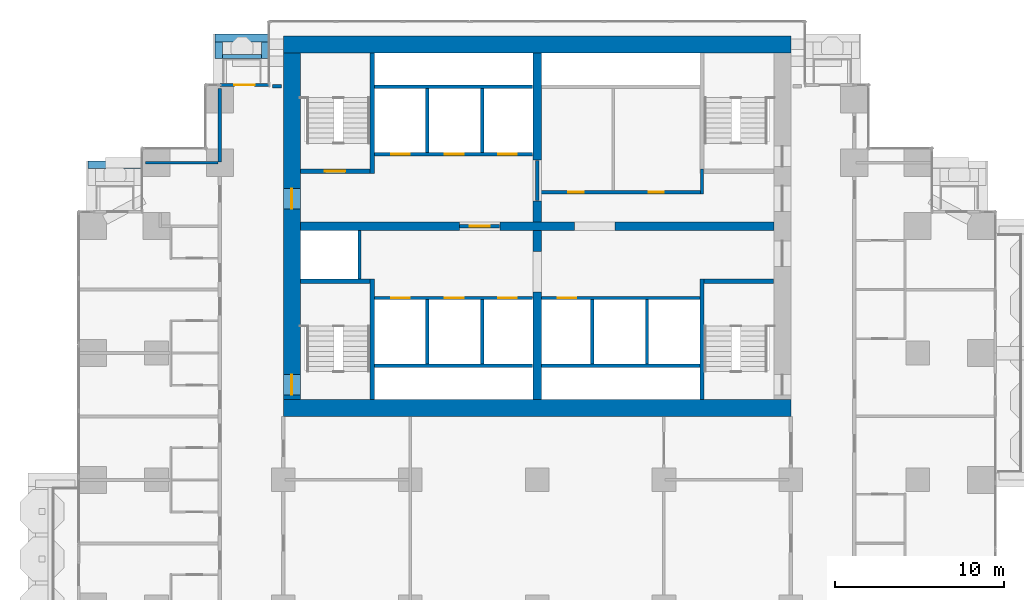
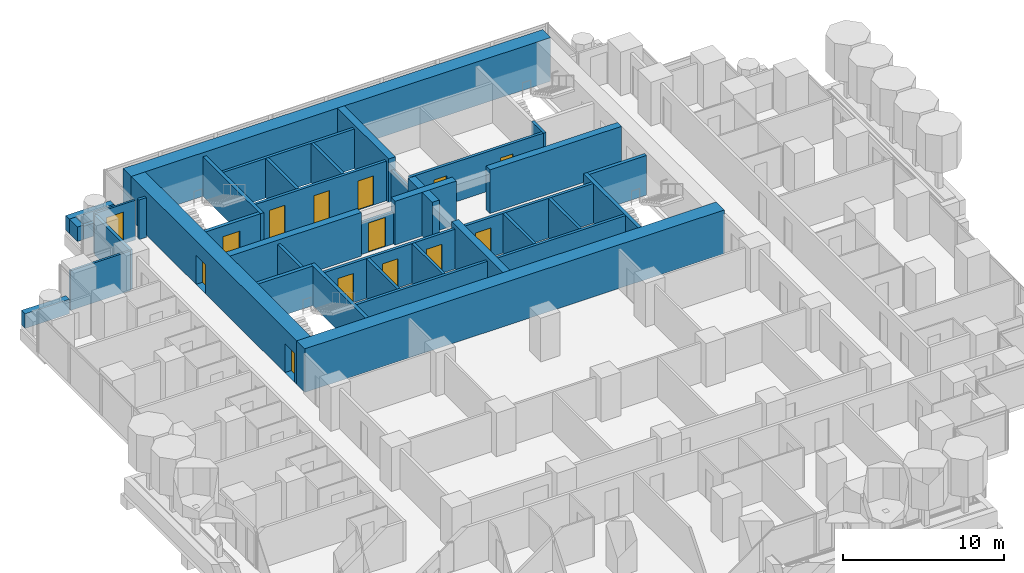
# One storey, part 13 of 18: 42 walls, 14 doors, 14 openings.
"""IFC4 building model written with IfcOpenShell, lengths in metres."""

from ifc_helpers import new_model, si_unit, direction, frame, frame_2d, origin, place, context, subcontext, project, spatial, rectangle, extrude, material, layer, layer_set, type_object, element, fill, save


model = new_model("IFC4")

# Units and contexts
model_context = context("Model", 3, precision=1e-05, world=origin(), true_north=direction((0.0, 1.0)))
body_context = subcontext(model_context, "Body", "Model", "MODEL_VIEW")
ifc_project = project(units=[si_unit("LENGTHUNIT", "METRE"), si_unit("AREAUNIT", "SQUARE_METRE"), si_unit("VOLUMEUNIT", "CUBIC_METRE"), si_unit("PLANEANGLEUNIT", "RADIAN"), si_unit("MASSUNIT", "GRAM", prefix="KILO")], contexts=[model_context])

# Site, building, storey
site_placement = place(None, origin())
site = spatial("IfcSite", under=ifc_project, at=site_placement, CompositionType="ELEMENT")
building_placement = place(site_placement, origin())
building = spatial("IfcBuilding", under=site, at=building_placement, Name="Pilkhan Gate Tower", CompositionType="ELEMENT")
storey_placement = place(building_placement, frame((0.0, 0.0, 52.699951171875)))
storey = spatial("IfcBuildingStorey", under=building, at=storey_placement, Name="L10", CompositionType="ELEMENT", Elevation=52.699951171875)

# Walls
ifc_material_1 = material(Name="Concrete C40/50", Category="concrete")
ifc_layer_1 = layer(ifc_material_1, 0.25)
ifc_layer_set_1 = layer_set([ifc_layer_1], Name="Balcony planter BP250")
wall_type_1 = type_object("IfcWallType", Name="Balcony planter BP250", PredefinedType="USERDEFINED", material=ifc_layer_set_1)
wall_1_placement = place(storey_placement, frame((56.39990234375, 92.52490234375, 0.0), z_axis=(0.0, 0.0, 1.0), x_axis=(1.0, 0.0, 0.0)))
element("IfcWall", 1, at=wall_1_placement, inside=storey, type_object=wall_type_1, Name="Balcony planter L10 N", ObjectType="BALCONY PLANTER", PredefinedType="USERDEFINED", context=body_context, shape_type="SweptSolid", body=[
    extrude(rectangle(XDim=2.300048828125, YDim=0.25, at=frame_2d((1.14990234375, 0.0))), origin(), (0.0, 0.0, 1.0), 1.0),
])
ifc_material_2 = material(Name="Board-marked Concrete C40/50", Category="concrete")
ifc_layer_2 = layer(ifc_material_2, 0.449951171875)
ifc_layer_set_2 = layer_set([ifc_layer_2], Name="Balcony planter lip BL450")
wall_type_2 = type_object("IfcWallType", Name="Balcony planter lip BL450", PredefinedType="USERDEFINED", material=ifc_layer_set_2)
wall_2_placement = place(storey_placement, frame((55.949951171875, 93.625, 0.0), z_axis=(0.0, 0.0, 1.0), x_axis=(1.0, 0.0, 0.0)))
element("IfcWall", 2, at=wall_2_placement, inside=storey, type_object=wall_type_2, Name="Balcony planter L10 N", ObjectType="BALCONY PLANTER", PredefinedType="USERDEFINED", context=body_context, shape_type="SweptSolid", body=[
    extrude(rectangle(XDim=3.199951171875, YDim=0.449951171875, at=frame_2d((1.60009765625, 0.0))), origin(), (0.0, 0.0, 1.0), 1.10009765625),
])
for number, where, z_axis, x_axis, name in (
    (3, (56.175048828125, 92.39990234375, 0.0), (0.0, 0.0, 1.0), (0.0, 1.0, 0.0), "Balcony planter L10 N"),
    (4, (58.925048828125, 92.39990234375, 0.0), (0.0, 0.0, 1.0), (0.0, 1.0, 0.0), "Balcony planter L10 N"),
):
    element("IfcWall", number, at=place(storey_placement, frame(where, z_axis=z_axis, x_axis=x_axis)), inside=storey, type_object=wall_type_2, Name=name, ObjectType="BALCONY PLANTER", PredefinedType="USERDEFINED", context=body_context, shape_type="SweptSolid", body=[
        extrude(rectangle(XDim=1.0, YDim=0.449951171875, at=frame_2d((0.5, 0.0))), origin(), (0.0, 0.0, 1.0), 1.10009765625),
    ])
wall_3_placement = place(storey_placement, frame((48.449951171875, 86.125, 0.0), z_axis=(0.0, 0.0, 1.0), x_axis=(1.0, 0.0, 0.0)))
element("IfcWall", 5, at=wall_3_placement, inside=storey, type_object=wall_type_2, Name="Balcony planter L10 N", ObjectType="BALCONY PLANTER", PredefinedType="USERDEFINED", context=body_context, shape_type="SweptSolid", body=[
    extrude(rectangle(XDim=3.179931640625, YDim=0.449951171875, at=frame_2d((1.58984375, 0.0))), origin(), (0.0, 0.0, 1.0), 1.10009765625),
])
ifc_material_3 = material(Name="Concrete C70/85", Category="concrete")
ifc_layer_3 = layer(ifc_material_3, 1.0)
ifc_layer_set_3 = layer_set([ifc_layer_3], Name="Core wall CW1000 C70/85")
wall_type_3 = type_object("IfcWallType", Name="Core wall CW1000 C70/85", PredefinedType="SHEAR", material=ifc_layer_set_3)
for number, where, z_axis, x_axis, name in (
    (6, (60.0, 71.75, 0.0), (0.0, 0.0, 1.0), (1.0, 0.0, 0.0), "Core wall S L10"),
    (7, (90.0, 93.25, 0.0), (0.0, 0.0, 1.0), (-1.0, 0.0, 0.0), "Core wall N L10"),
):
    element("IfcWall", number, at=place(storey_placement, frame(where, z_axis=z_axis, x_axis=x_axis)), inside=storey, type_object=wall_type_3, Name=name, PredefinedType="SHEAR", context=body_context, shape_type="SweptSolid", body=[
        extrude(rectangle(XDim=30.0, YDim=1.0, at=frame_2d((15.0, 0.0))), origin(), (0.0, 0.0, 1.0), 3.300048828125),
    ])

# Wall, openings, doors
wall_4_placement = place(storey_placement, frame((60.5, 92.75, 0.0), z_axis=(0.0, 0.0, 1.0), x_axis=(0.0, -1.0, 0.0)))
wall_4 = element("IfcWall", 8, at=wall_4_placement, inside=storey, type_object=wall_type_3, Name="Core wall W L10", PredefinedType="SHEAR", context=body_context, shape_type="SweptSolid", body=[
    extrude(rectangle(XDim=20.5, YDim=1.0, at=frame_2d((10.25, 0.0))), origin(), (0.0, 0.0, 1.0), 3.300048828125),
])
opening_1_placement = place(wall_4_placement, frame((19.02490234375, 0.0, 0.0)))
opening_1 = element("IfcOpeningElement", 9, at=opening_1_placement, cuts=wall_4, Name="Opening L10-04", PredefinedType="OPENING", context=body_context, shape_type="SweptSolid", body=[
    extrude(rectangle(XDim=1.199951171875, YDim=2.199951171875, at=frame_2d((0.60009765625, 1.10009765625))), frame((0.0, 0.510009765625, 0.0), z_axis=(0.0, -1.0, 0.0), x_axis=(1.0, 0.0, 0.0)), (0.0, 0.0, 1.0), 1.02001953125),
])
opening_2_placement = place(wall_4_placement, frame((8.02490234375, 0.0, 0.0)))
opening_2 = element("IfcOpeningElement", 10, at=opening_2_placement, cuts=wall_4, Name="Opening L10-43", PredefinedType="OPENING", context=body_context, shape_type="SweptSolid", body=[
    extrude(rectangle(XDim=1.199951171875, YDim=2.199951171875, at=frame_2d((0.60009765625, 1.10009765625))), frame((0.0, 0.510009765625, 0.0), z_axis=(0.0, -1.0, 0.0), x_axis=(1.0, 0.0, 0.0)), (0.0, 0.0, 1.0), 1.02001953125),
])
ifc_material_4 = material(Name="Steel door, 120 minute fire resisting, self-closing", Category="steel")
door_type_1 = type_object("IfcDoorType", Name="Firefighting lobby door D10 1200x2200", OperationType="SINGLE_SWING_LEFT", PredefinedType="DOOR", material=ifc_material_4)
door_1_placement = place(opening_2_placement, origin())
door_1 = element("IfcDoor", 11, at=door_1_placement, inside=storey, type_object=door_type_1, Name="Core door", OperationType="SINGLE_SWING_RIGHT", OverallHeight=2.199951171875, OverallWidth=1.199951171875, PredefinedType="DOOR", context=body_context, shape_type="SweptSolid", body=[
    extrude(rectangle(XDim=1.199951171875, YDim=2.199951171875, at=frame_2d((0.60009765625, 1.10009765625))), frame((0.0, 0.02490234375, 0.0), z_axis=(0.0, -1.0, 0.0), x_axis=(1.0, 0.0, 0.0)), (0.0, 0.0, 1.0), 0.050048828125),
])
fill(opening_2, door_1)
ifc_material_5 = material(Name="Steel door, 120 minute fire resisting, panic bar", Category="steel")
door_type_2 = type_object("IfcDoorType", Name="Stair door D11 1200x2200", OperationType="SINGLE_SWING_LEFT", PredefinedType="DOOR", material=ifc_material_5)
door_2_placement = place(opening_1_placement, origin())
door_2 = element("IfcDoor", 12, at=door_2_placement, inside=storey, type_object=door_type_2, Name="Stair ST2 door", OperationType="SINGLE_SWING_LEFT", OverallHeight=2.199951171875, OverallWidth=1.199951171875, PredefinedType="DOOR", context=body_context, shape_type="SweptSolid", body=[
    extrude(rectangle(XDim=1.199951171875, YDim=2.199951171875, at=frame_2d((0.60009765625, 1.10009765625))), frame((0.0, 0.02490234375, 0.0), z_axis=(0.0, -1.0, 0.0), x_axis=(1.0, 0.0, 0.0)), (0.0, 0.0, 1.0), 0.050048828125),
])
fill(opening_1, door_2)

# Walls
ifc_material_6 = material(Name="Dense blockwork", Category="masonry")
ifc_layer_4 = layer(ifc_material_6, 0.199951171875)
ifc_layer_set_4 = layer_set([ifc_layer_4], Name="Corridor wall FW200")
wall_type_4 = type_object("IfcWallType", Name="Corridor wall FW200", PredefinedType="PARTITIONING", material=ifc_layer_set_4)
wall_5_placement = place(storey_placement, frame((59.35498046875, 90.764892578125, 0.0), z_axis=(0.0, 0.0, 1.0), x_axis=(1.0, 0.0, 0.0)))
element("IfcWall", 13, at=wall_5_placement, inside=storey, type_object=wall_type_4, Name="Partition L10", PredefinedType="PARTITIONING", context=body_context, shape_type="SweptSolid", body=[
    extrude(rectangle(XDim=0.52490234375, YDim=0.199951171875, at=frame_2d((0.262451171875, 0.0))), origin(), (0.0, 0.0, 1.0), 3.0),
])
wall_6_placement = place(storey_placement, frame((56.25, 86.280029296875, 0.0), z_axis=(0.0, 0.0, 1.0), x_axis=(0.0, 1.0, 0.0)))
element("IfcWall", 14, at=wall_6_placement, inside=storey, type_object=wall_type_4, Name="Partition L10", PredefinedType="PARTITIONING", context=body_context, shape_type="SweptSolid", body=[
    extrude(rectangle(XDim=4.364990234375, YDim=0.199951171875, at=frame_2d((2.1826171875, 0.0))), origin(), (0.0, 0.0, 1.0), 3.0),
])

# Wall, opening, door
ifc_material_7 = material(Name="Pale anodised aluminium, clear laminated glazing", Category="aluminium")
ifc_layer_5 = layer(ifc_material_7, 0.14990234375)
ifc_layer_set_5 = layer_set([ifc_layer_5], Name="Facade infill wall IW150")
wall_type_5 = type_object("IfcWallType", Name="Facade infill wall IW150", PredefinedType="SOLIDWALL", material=ifc_layer_set_5)
wall_7_placement = place(storey_placement, frame((56.25, 90.844970703125, 0.0), z_axis=(0.0, 0.0, 1.0), x_axis=(1.0, 0.0, 0.0)))
wall_7 = element("IfcWall", 15, at=wall_7_placement, inside=storey, type_object=wall_type_5, Name="Infill wall L10 N", PredefinedType="SOLIDWALL", context=body_context, shape_type="SweptSolid", body=[
    extrude(rectangle(XDim=2.905029296875, YDim=0.14990234375, at=frame_2d((1.45263671875, 0.0))), origin(), (0.0, 0.0, 1.0), 3.0),
])
opening_3_placement = place(wall_7_placement, frame((0.8525390625, 0.0, 0.0)))
opening_3 = element("IfcOpeningElement", 16, at=opening_3_placement, cuts=wall_7, Name="Opening D1", PredefinedType="OPENING", context=body_context, shape_type="SweptSolid", body=[
    extrude(rectangle(XDim=1.199951171875, YDim=2.39990234375, at=frame_2d((0.60009765625, 1.199951171875))), frame((0.0, 0.0849609375, 0.0), z_axis=(0.0, -1.0, 0.0), x_axis=(1.0, 0.0, 0.0)), (0.0, 0.0, 1.0), 0.169921875),
])
ifc_material_8 = material(Name="Pale anodised aluminium, clear glazing", Category="aluminium")
door_type_3 = type_object("IfcDoorType", Name="Balcony door D1 1200x2400", OperationType="SINGLE_SWING_LEFT", PredefinedType="DOOR", material=ifc_material_8)
door_3_placement = place(opening_3_placement, origin())
door_3 = element("IfcDoor", 17, at=door_3_placement, inside=storey, type_object=door_type_3, Name="Balcony door L10", OperationType="SINGLE_SWING_LEFT", OverallHeight=2.39990234375, OverallWidth=1.199951171875, PredefinedType="DOOR", context=body_context, shape_type="SweptSolid", body=[
    extrude(rectangle(XDim=1.199951171875, YDim=2.39990234375, at=frame_2d((0.60009765625, 1.199951171875))), frame((0.0, 0.02490234375, 0.0), z_axis=(0.0, -1.0, 0.0), x_axis=(1.0, 0.0, 0.0)), (0.0, 0.0, 1.0), 0.050048828125),
])
fill(opening_3, door_3)

ifc_layer_6 = layer(ifc_material_6, 0.199951171875)
ifc_layer_set_6 = layer_set([ifc_layer_6], Name="Lobby wall LW200")
wall_type_6 = type_object("IfcWallType", Name="Lobby wall LW200", PredefinedType="PARTITIONING", material=ifc_layer_set_6)
wall_8_placement = place(storey_placement, frame((70.409912109375, 82.5, 0.0), z_axis=(0.0, 0.0, 1.0), x_axis=(1.0, 0.0, 0.0)))
wall_8 = element("IfcWall", 18, at=wall_8_placement, inside=storey, type_object=wall_type_6, Name="Partition L10", PredefinedType="PARTITIONING", context=body_context, shape_type="SweptSolid", body=[
    extrude(rectangle(XDim=2.380126953125, YDim=0.199951171875, at=frame_2d((1.18994140625, 0.0))), origin(), (0.0, 0.0, 1.0), 2.400146484375),
])
opening_4_placement = place(wall_8_placement, frame((0.60009765625, 0.0, 0.0)))
opening_4 = element("IfcOpeningElement", 19, at=opening_4_placement, cuts=wall_8, Name="Opening L10-01", PredefinedType="OPENING", context=body_context, shape_type="SweptSolid", body=[
    extrude(rectangle(XDim=1.199951171875, YDim=2.199951171875, at=frame_2d((0.60009765625, 1.10009765625))), frame((0.0, 0.10986328125, 0.0), z_axis=(0.0, -1.0, 0.0), x_axis=(1.0, 0.0, 0.0)), (0.0, 0.0, 1.0), 0.219970703125),
])
door_4_placement = place(opening_4_placement, origin())
door_4 = element("IfcDoor", 20, at=door_4_placement, inside=storey, type_object=door_type_1, Name="Firefighting lobby door", OperationType="SINGLE_SWING_LEFT", OverallHeight=2.199951171875, OverallWidth=1.199951171875, PredefinedType="DOOR", context=body_context, shape_type="SweptSolid", body=[
    extrude(rectangle(XDim=1.199951171875, YDim=2.199951171875, at=frame_2d((0.60009765625, 1.10009765625))), frame((0.0, 0.02490234375, 0.0), z_axis=(0.0, -1.0, 0.0), x_axis=(1.0, 0.0, 0.0)), (0.0, 0.0, 1.0), 0.050048828125),
])
fill(opening_4, door_4)

# Wall, openings, doors
wall_9_placement = place(storey_placement, frame((75.10009765625, 84.5, 0.0), z_axis=(0.0, 0.0, 1.0), x_axis=(1.0, 0.0, 0.0)))
wall_9 = element("IfcWall", 21, at=wall_9_placement, inside=storey, type_object=wall_type_6, Name="Partition L10", PredefinedType="PARTITIONING", context=body_context, shape_type="SweptSolid", body=[
    extrude(rectangle(XDim=9.5498046875, YDim=0.199951171875, at=frame_2d((4.77490234375, 0.0))), origin(), (0.0, 0.0, 1.0), 3.0),
])
opening_5_placement = place(wall_9_placement, frame((1.75, 0.0, 0.0)))
opening_5 = element("IfcOpeningElement", 22, at=opening_5_placement, cuts=wall_9, Name="Opening L10-45", PredefinedType="OPENING", context=body_context, shape_type="SweptSolid", body=[
    extrude(rectangle(XDim=0.89990234375, YDim=2.199951171875, at=frame_2d((0.449951171875, 1.10009765625))), frame((0.0, 0.10986328125, 0.0), z_axis=(0.0, -1.0, 0.0), x_axis=(1.0, 0.0, 0.0)), (0.0, 0.0, 1.0), 0.219970703125),
])
opening_6_placement = place(wall_9_placement, frame((6.5, 0.0, 0.0)))
opening_6 = element("IfcOpeningElement", 23, at=opening_6_placement, cuts=wall_9, Name="Opening L10-46", PredefinedType="OPENING", context=body_context, shape_type="SweptSolid", body=[
    extrude(rectangle(XDim=0.89990234375, YDim=2.199951171875, at=frame_2d((0.449951171875, 1.10009765625))), frame((0.0, 0.10986328125, 0.0), z_axis=(0.0, -1.0, 0.0), x_axis=(1.0, 0.0, 0.0)), (0.0, 0.0, 1.0), 0.219970703125),
])
ifc_material_9 = material(Name="Timber flush door, 60 minute fire resisting, self-closing", Category="wood")
door_type_4 = type_object("IfcDoorType", Name="Store door D05 900x2200", OperationType="SINGLE_SWING_LEFT", PredefinedType="DOOR", material=ifc_material_9)
door_5_placement = place(opening_5_placement, origin())
door_5 = element("IfcDoor", 24, at=door_5_placement, inside=storey, type_object=door_type_4, Name="Store door", OperationType="SINGLE_SWING_LEFT", OverallHeight=2.199951171875, OverallWidth=0.89990234375, PredefinedType="DOOR", context=body_context, shape_type="SweptSolid", body=[
    extrude(rectangle(XDim=0.89990234375, YDim=2.199951171875, at=frame_2d((0.449951171875, 1.10009765625))), frame((0.0, 0.02490234375, 0.0), z_axis=(0.0, -1.0, 0.0), x_axis=(1.0, 0.0, 0.0)), (0.0, 0.0, 1.0), 0.050048828125),
])
fill(opening_5, door_5)
door_6_placement = place(opening_6_placement, origin())
door_6 = element("IfcDoor", 25, at=door_6_placement, inside=storey, type_object=door_type_4, Name="Store door", OperationType="SINGLE_SWING_RIGHT", OverallHeight=2.199951171875, OverallWidth=0.89990234375, PredefinedType="DOOR", context=body_context, shape_type="SweptSolid", body=[
    extrude(rectangle(XDim=0.89990234375, YDim=2.199951171875, at=frame_2d((0.449951171875, 1.10009765625))), frame((0.0, 0.02490234375, 0.0), z_axis=(0.0, -1.0, 0.0), x_axis=(1.0, 0.0, 0.0)), (0.0, 0.0, 1.0), 0.050048828125),
])
fill(opening_6, door_6)

# Walls
wall_10_placement = place(storey_placement, frame((75.0, 84.010009765625, 0.0), z_axis=(0.0, 0.0, 1.0), x_axis=(0.0, 1.0, 0.0)))
element("IfcWall", 26, at=wall_10_placement, inside=storey, type_object=wall_type_6, Name="Partition L10", PredefinedType="PARTITIONING", context=body_context, shape_type="SweptSolid", body=[
    extrude(rectangle(XDim=2.3798828125, YDim=0.199951171875, at=frame_2d((1.18994140625, 0.0))), origin(), (0.0, 0.0, 1.0), 2.400146484375),
])
wall_11_placement = place(storey_placement, frame((84.75, 84.39990234375, 0.0), z_axis=(0.0, 0.0, 1.0), x_axis=(0.0, 1.0, 0.0)))
element("IfcWall", 27, at=wall_11_placement, inside=storey, type_object=wall_type_6, Name="Partition L10", PredefinedType="PARTITIONING", context=body_context, shape_type="SweptSolid", body=[
    extrude(rectangle(XDim=1.47509765625, YDim=0.199951171875, at=frame_2d((0.737548828125, 0.0))), origin(), (0.0, 0.0, 1.0), 3.0),
])
ifc_material_10 = material(Name="Blockwork partition, plastered both sides", Category="masonry")
ifc_layer_7 = layer(ifc_material_10, 0.14990234375)
ifc_layer_set_7 = layer_set([ifc_layer_7], Name="Partition PW150")
wall_type_7 = type_object("IfcWallType", Name="Partition PW150", PredefinedType="PARTITIONING", material=ifc_layer_set_7)
wall_12_placement = place(storey_placement, frame((51.85498046875, 86.25, 0.0), z_axis=(0.0, 0.0, 1.0), x_axis=(1.0, 0.0, 0.0)))
element("IfcWall", 28, at=wall_12_placement, inside=storey, type_object=wall_type_7, Name="Partition L10", PredefinedType="PARTITIONING", context=body_context, shape_type="SweptSolid", body=[
    extrude(rectangle(XDim=4.294921875, YDim=0.14990234375, at=frame_2d((2.1474609375, 0.0))), origin(), (0.0, 0.0, 1.0), 3.0),
])
ifc_material_11 = material(Name="Reinforced blockwork shaft wall, 120 minute fire resisting", Category="masonry")
ifc_layer_8 = layer(ifc_material_11, 0.199951171875)
ifc_layer_set_8 = layer_set([ifc_layer_8], Name="Shaft wall SW200")
wall_type_8 = type_object("IfcWallType", Name="Shaft wall SW200", PredefinedType="PARTITIONING", material=ifc_layer_set_8)
for number, where, z_axis, x_axis, name in (
    (29, (65.375, 74.25, 0.0), (0.0, 0.0, 1.0), (1.0, 0.0, 0.0), "Partition L10"),
    (30, (75.260009765625, 74.25, 0.0), (0.0, 0.0, 1.0), (1.0, 0.0, 0.0), "Partition L10"),
):
    element("IfcWall", number, at=place(storey_placement, frame(where, z_axis=z_axis, x_axis=x_axis)), inside=storey, type_object=wall_type_8, Name=name, PredefinedType="PARTITIONING", context=body_context, shape_type="SweptSolid", body=[
        extrude(rectangle(XDim=9.364990234375, YDim=0.199951171875, at=frame_2d((4.6826171875, 0.0))), origin(), (0.0, 0.0, 1.0), 3.0),
    ])

# Wall, openings, doors
wall_13_placement = place(storey_placement, frame((65.375, 78.25, 0.0), z_axis=(0.0, 0.0, 1.0), x_axis=(1.0, 0.0, 0.0)))
wall_13 = element("IfcWall", 31, at=wall_13_placement, inside=storey, type_object=wall_type_8, Name="Partition L10", PredefinedType="PARTITIONING", context=body_context, shape_type="SweptSolid", body=[
    extrude(rectangle(XDim=9.364990234375, YDim=0.199951171875, at=frame_2d((4.6826171875, 0.0))), origin(), (0.0, 0.0, 1.0), 3.0),
])
opening_7_placement = place(wall_13_placement, frame((1.0, 0.0, 0.0)))
opening_7 = element("IfcOpeningElement", 32, at=opening_7_placement, cuts=wall_13, Name="Opening LD", PredefinedType="OPENING", context=body_context, shape_type="SweptSolid", body=[
    extrude(rectangle(XDim=1.10009765625, YDim=2.199951171875, at=frame_2d((0.550048828125, 1.10009765625))), frame((0.0, 0.10986328125, 0.0), z_axis=(0.0, -1.0, 0.0), x_axis=(1.0, 0.0, 0.0)), (0.0, 0.0, 1.0), 0.219970703125),
])
opening_8_placement = place(wall_13_placement, frame((4.175048828125, 0.0, 0.0)))
opening_8 = element("IfcOpeningElement", 33, at=opening_8_placement, cuts=wall_13, Name="Opening LD", PredefinedType="OPENING", context=body_context, shape_type="SweptSolid", body=[
    extrude(rectangle(XDim=1.10009765625, YDim=2.199951171875, at=frame_2d((0.550048828125, 1.10009765625))), frame((0.0, 0.10986328125, 0.0), z_axis=(0.0, -1.0, 0.0), x_axis=(1.0, 0.0, 0.0)), (0.0, 0.0, 1.0), 0.219970703125),
])
opening_9_placement = place(wall_13_placement, frame((7.324951171875, 0.0, 0.0)))
opening_9 = element("IfcOpeningElement", 34, at=opening_9_placement, cuts=wall_13, Name="Opening LD", PredefinedType="OPENING", context=body_context, shape_type="SweptSolid", body=[
    extrude(rectangle(XDim=1.10009765625, YDim=2.199951171875, at=frame_2d((0.550048828125, 1.10009765625))), frame((0.0, 0.10986328125, 0.0), z_axis=(0.0, -1.0, 0.0), x_axis=(1.0, 0.0, 0.0)), (0.0, 0.0, 1.0), 0.219970703125),
])
ifc_material_12 = material(Name="Stainless steel centre-opening landing door, 120 minute fire resisting", Category="steel")
door_type_5 = type_object("IfcDoorType", Name="Lift landing door LD 1100x2200", OperationType="DOUBLE_DOOR_SLIDING", PredefinedType="DOOR", material=ifc_material_12)
door_7_placement = place(opening_7_placement, origin())
door_7 = element("IfcDoor", 35, at=door_7_placement, inside=storey, type_object=door_type_5, Name="Landing door LR1", OperationType="DOUBLE_DOOR_SLIDING", OverallHeight=2.199951171875, OverallWidth=1.10009765625, PredefinedType="DOOR", context=body_context, shape_type="SweptSolid", body=[
    extrude(rectangle(XDim=1.10009765625, YDim=2.199951171875, at=frame_2d((0.550048828125, 1.10009765625))), frame((0.0, 0.02490234375, 0.0), z_axis=(0.0, -1.0, 0.0), x_axis=(1.0, 0.0, 0.0)), (0.0, 0.0, 1.0), 0.050048828125),
])
fill(opening_7, door_7)
door_8_placement = place(opening_8_placement, origin())
door_8 = element("IfcDoor", 36, at=door_8_placement, inside=storey, type_object=door_type_5, Name="Landing door LR2", OperationType="DOUBLE_DOOR_SLIDING", OverallHeight=2.199951171875, OverallWidth=1.10009765625, PredefinedType="DOOR", context=body_context, shape_type="SweptSolid", body=[
    extrude(rectangle(XDim=1.10009765625, YDim=2.199951171875, at=frame_2d((0.550048828125, 1.10009765625))), frame((0.0, 0.02490234375, 0.0), z_axis=(0.0, -1.0, 0.0), x_axis=(1.0, 0.0, 0.0)), (0.0, 0.0, 1.0), 0.050048828125),
])
fill(opening_8, door_8)
door_9_placement = place(opening_9_placement, origin())
door_9 = element("IfcDoor", 37, at=door_9_placement, inside=storey, type_object=door_type_5, Name="Landing door LR3", OperationType="DOUBLE_DOOR_SLIDING", OverallHeight=2.199951171875, OverallWidth=1.10009765625, PredefinedType="DOOR", context=body_context, shape_type="SweptSolid", body=[
    extrude(rectangle(XDim=1.10009765625, YDim=2.199951171875, at=frame_2d((0.550048828125, 1.10009765625))), frame((0.0, 0.02490234375, 0.0), z_axis=(0.0, -1.0, 0.0), x_axis=(1.0, 0.0, 0.0)), (0.0, 0.0, 1.0), 0.050048828125),
])
fill(opening_9, door_9)

# Wall, opening, door
wall_14_placement = place(storey_placement, frame((75.260009765625, 78.25, 0.0), z_axis=(0.0, 0.0, 1.0), x_axis=(1.0, 0.0, 0.0)))
wall_14 = element("IfcWall", 38, at=wall_14_placement, inside=storey, type_object=wall_type_8, Name="Partition L10", PredefinedType="PARTITIONING", context=body_context, shape_type="SweptSolid", body=[
    extrude(rectangle(XDim=9.364990234375, YDim=0.199951171875, at=frame_2d((4.6826171875, 0.0))), origin(), (0.0, 0.0, 1.0), 3.0),
])
opening_10_placement = place(wall_14_placement, frame((0.949951171875, 0.0, 0.0)))
opening_10 = element("IfcOpeningElement", 39, at=opening_10_placement, cuts=wall_14, Name="Opening LD", PredefinedType="OPENING", context=body_context, shape_type="SweptSolid", body=[
    extrude(rectangle(XDim=1.10009765625, YDim=2.199951171875, at=frame_2d((0.550048828125, 1.10009765625))), frame((0.0, 0.10986328125, 0.0), z_axis=(0.0, -1.0, 0.0), x_axis=(1.0, 0.0, 0.0)), (0.0, 0.0, 1.0), 0.219970703125),
])
door_10_placement = place(opening_10_placement, origin())
door_10 = element("IfcDoor", 40, at=door_10_placement, inside=storey, type_object=door_type_5, Name="Landing door LR4", OperationType="DOUBLE_DOOR_SLIDING", OverallHeight=2.199951171875, OverallWidth=1.10009765625, PredefinedType="DOOR", context=body_context, shape_type="SweptSolid", body=[
    extrude(rectangle(XDim=1.10009765625, YDim=2.199951171875, at=frame_2d((0.550048828125, 1.10009765625))), frame((0.0, 0.02490234375, 0.0), z_axis=(0.0, -1.0, 0.0), x_axis=(1.0, 0.0, 0.0)), (0.0, 0.0, 1.0), 0.050048828125),
])
fill(opening_10, door_10)

# Wall, openings, doors
wall_15_placement = place(storey_placement, frame((65.375, 86.75, 0.0), z_axis=(0.0, 0.0, 1.0), x_axis=(1.0, 0.0, 0.0)))
wall_15 = element("IfcWall", 41, at=wall_15_placement, inside=storey, type_object=wall_type_8, Name="Partition L10", PredefinedType="PARTITIONING", context=body_context, shape_type="SweptSolid", body=[
    extrude(rectangle(XDim=9.364990234375, YDim=0.199951171875, at=frame_2d((4.6826171875, 0.0))), origin(), (0.0, 0.0, 1.0), 3.0),
])
opening_11_placement = place(wall_15_placement, frame((1.0, 0.0, 0.0)))
opening_11 = element("IfcOpeningElement", 42, at=opening_11_placement, cuts=wall_15, Name="Opening LD", PredefinedType="OPENING", context=body_context, shape_type="SweptSolid", body=[
    extrude(rectangle(XDim=1.10009765625, YDim=2.199951171875, at=frame_2d((0.550048828125, 1.10009765625))), frame((0.0, 0.10986328125, 0.0), z_axis=(0.0, -1.0, 0.0), x_axis=(1.0, 0.0, 0.0)), (0.0, 0.0, 1.0), 0.219970703125),
])
opening_12_placement = place(wall_15_placement, frame((4.175048828125, 0.0, 0.0)))
opening_12 = element("IfcOpeningElement", 43, at=opening_12_placement, cuts=wall_15, Name="Opening LD", PredefinedType="OPENING", context=body_context, shape_type="SweptSolid", body=[
    extrude(rectangle(XDim=1.10009765625, YDim=2.199951171875, at=frame_2d((0.550048828125, 1.10009765625))), frame((0.0, 0.10986328125, 0.0), z_axis=(0.0, -1.0, 0.0), x_axis=(1.0, 0.0, 0.0)), (0.0, 0.0, 1.0), 0.219970703125),
])
opening_13_placement = place(wall_15_placement, frame((7.324951171875, 0.0, 0.0)))
opening_13 = element("IfcOpeningElement", 44, at=opening_13_placement, cuts=wall_15, Name="Opening LD", PredefinedType="OPENING", context=body_context, shape_type="SweptSolid", body=[
    extrude(rectangle(XDim=1.10009765625, YDim=2.199951171875, at=frame_2d((0.550048828125, 1.10009765625))), frame((0.0, 0.10986328125, 0.0), z_axis=(0.0, -1.0, 0.0), x_axis=(1.0, 0.0, 0.0)), (0.0, 0.0, 1.0), 0.219970703125),
])
door_11_placement = place(opening_11_placement, origin())
door_11 = element("IfcDoor", 45, at=door_11_placement, inside=storey, type_object=door_type_5, Name="Landing door FF1", OperationType="DOUBLE_DOOR_SLIDING", OverallHeight=2.199951171875, OverallWidth=1.10009765625, PredefinedType="DOOR", context=body_context, shape_type="SweptSolid", body=[
    extrude(rectangle(XDim=1.10009765625, YDim=2.199951171875, at=frame_2d((0.550048828125, 1.10009765625))), frame((0.0, 0.02490234375, 0.0), z_axis=(0.0, -1.0, 0.0), x_axis=(1.0, 0.0, 0.0)), (0.0, 0.0, 1.0), 0.050048828125),
])
fill(opening_11, door_11)
door_12_placement = place(opening_12_placement, origin())
door_12 = element("IfcDoor", 46, at=door_12_placement, inside=storey, type_object=door_type_5, Name="Landing door FF2", OperationType="DOUBLE_DOOR_SLIDING", OverallHeight=2.199951171875, OverallWidth=1.10009765625, PredefinedType="DOOR", context=body_context, shape_type="SweptSolid", body=[
    extrude(rectangle(XDim=1.10009765625, YDim=2.199951171875, at=frame_2d((0.550048828125, 1.10009765625))), frame((0.0, 0.02490234375, 0.0), z_axis=(0.0, -1.0, 0.0), x_axis=(1.0, 0.0, 0.0)), (0.0, 0.0, 1.0), 0.050048828125),
])
fill(opening_12, door_12)
door_13_placement = place(opening_13_placement, origin())
door_13 = element("IfcDoor", 47, at=door_13_placement, inside=storey, type_object=door_type_5, Name="Landing door SV1", OperationType="DOUBLE_DOOR_SLIDING", OverallHeight=2.199951171875, OverallWidth=1.10009765625, PredefinedType="DOOR", context=body_context, shape_type="SweptSolid", body=[
    extrude(rectangle(XDim=1.10009765625, YDim=2.199951171875, at=frame_2d((0.550048828125, 1.10009765625))), frame((0.0, 0.02490234375, 0.0), z_axis=(0.0, -1.0, 0.0), x_axis=(1.0, 0.0, 0.0)), (0.0, 0.0, 1.0), 0.050048828125),
])
fill(opening_13, door_13)

# Walls
wall_16_placement = place(storey_placement, frame((65.375, 90.75, 0.0), z_axis=(0.0, 0.0, 1.0), x_axis=(1.0, 0.0, 0.0)))
element("IfcWall", 48, at=wall_16_placement, inside=storey, type_object=wall_type_8, Name="Partition L10", PredefinedType="PARTITIONING", context=body_context, shape_type="SweptSolid", body=[
    extrude(rectangle(XDim=9.364990234375, YDim=0.199951171875, at=frame_2d((4.6826171875, 0.0))), origin(), (0.0, 0.0, 1.0), 3.0),
])
wall_17_placement = place(storey_placement, frame((64.5, 79.375, 0.0), z_axis=(0.0, 0.0, 1.0), x_axis=(0.0, 1.0, 0.0)))
element("IfcWall", 49, at=wall_17_placement, inside=storey, type_object=wall_type_8, Name="Partition L10", PredefinedType="PARTITIONING", context=body_context, shape_type="SweptSolid", body=[
    extrude(rectangle(XDim=2.864990234375, YDim=0.199951171875, at=frame_2d((1.4326171875, 0.0))), origin(), (0.0, 0.0, 1.0), 3.0),
])
for number, where, z_axis, x_axis, name in (
    (50, (68.5, 74.35009765625, 0.0), (0.0, 0.0, 1.0), (0.0, 1.0, 0.0), "Partition L10"),
    (51, (68.5, 86.85009765625, 0.0), (0.0, 0.0, 1.0), (0.0, 1.0, 0.0), "Partition L10"),
    (52, (71.75, 74.35009765625, 0.0), (0.0, 0.0, 1.0), (0.0, 1.0, 0.0), "Partition L10"),
    (53, (71.75, 86.85009765625, 0.0), (0.0, 0.0, 1.0), (0.0, 1.0, 0.0), "Partition L10"),
    (54, (78.25, 74.35009765625, 0.0), (0.0, 0.0, 1.0), (0.0, 1.0, 0.0), "Partition L10"),
    (55, (81.5, 74.35009765625, 0.0), (0.0, 0.0, 1.0), (0.0, 1.0, 0.0), "Partition L10"),
):
    element("IfcWall", number, at=place(storey_placement, frame(where, z_axis=z_axis, x_axis=x_axis)), inside=storey, type_object=wall_type_8, Name=name, PredefinedType="PARTITIONING", context=body_context, shape_type="SweptSolid", body=[
        extrude(rectangle(XDim=3.7998046875, YDim=0.199951171875, at=frame_2d((1.89990234375, 0.0))), origin(), (0.0, 0.0, 1.0), 3.0),
    ])
ifc_layer_9 = layer(ifc_material_3, 0.5)
ifc_layer_set_9 = layer_set([ifc_layer_9], Name="Spine wall SW500 C70/85")
wall_type_9 = type_object("IfcWallType", Name="Spine wall SW500 C70/85", PredefinedType="SHEAR", material=ifc_layer_set_9)
wall_18_placement = place(storey_placement, frame((61.0, 82.5, 0.0), z_axis=(0.0, 0.0, 1.0), x_axis=(1.0, 0.0, 0.0)))
element("IfcWall", 56, at=wall_18_placement, inside=storey, type_object=wall_type_9, Name="Spine wall SP-EW1 L10", PredefinedType="SHEAR", context=body_context, shape_type="SweptSolid", body=[
    extrude(rectangle(XDim=9.39990234375, YDim=0.5, at=frame_2d((4.699951171875, 0.0))), origin(), (0.0, 0.0, 1.0), 3.300048828125),
])
wall_19_placement = place(storey_placement, frame((72.800048828125, 82.5, 0.0), z_axis=(0.0, 0.0, 1.0), x_axis=(1.0, 0.0, 0.0)))
element("IfcWall", 57, at=wall_19_placement, inside=storey, type_object=wall_type_9, Name="Spine wall SP-EW2 L10", PredefinedType="SHEAR", context=body_context, shape_type="SweptSolid", body=[
    extrude(rectangle(XDim=4.39990234375, YDim=0.5, at=frame_2d((2.199951171875, 0.0))), origin(), (0.0, 0.0, 1.0), 3.300048828125),
])
wall_20_placement = place(storey_placement, frame((79.60009765625, 82.5, 0.0), z_axis=(0.0, 0.0, 1.0), x_axis=(1.0, 0.0, 0.0)))
element("IfcWall", 58, at=wall_20_placement, inside=storey, type_object=wall_type_9, Name="Spine wall SP-EW3 L10", PredefinedType="SHEAR", context=body_context, shape_type="SweptSolid", body=[
    extrude(rectangle(XDim=9.39990234375, YDim=0.5, at=frame_2d((4.699951171875, 0.0))), origin(), (0.0, 0.0, 1.0), 3.300048828125),
])
wall_21_placement = place(storey_placement, frame((75.0, 72.25, 0.0), z_axis=(0.0, 0.0, 1.0), x_axis=(0.0, 1.0, 0.0)))
element("IfcWall", 59, at=wall_21_placement, inside=storey, type_object=wall_type_9, Name="Spine wall SP-NS-S1 L10", PredefinedType="SHEAR", context=body_context, shape_type="SweptSolid", body=[
    extrude(rectangle(XDim=6.35009765625, YDim=0.5, at=frame_2d((3.175048828125, 0.0))), origin(), (0.0, 0.0, 1.0), 3.300048828125),
])
for number, where, z_axis, x_axis, name in (
    (60, (75.0, 81.0, 0.0), (0.0, 0.0, 1.0), (0.0, 1.0, 0.0), "Spine wall SP-NS-S2 L10"),
    (61, (75.0, 82.75, 0.0), (0.0, 0.0, 1.0), (0.0, 1.0, 0.0), "Spine wall SP-NS-N1 L10"),
):
    element("IfcWall", number, at=place(storey_placement, frame(where, z_axis=z_axis, x_axis=x_axis)), inside=storey, type_object=wall_type_9, Name=name, PredefinedType="SHEAR", context=body_context, shape_type="SweptSolid", body=[
        extrude(rectangle(XDim=1.25, YDim=0.5, at=frame_2d((0.625, 0.0))), origin(), (0.0, 0.0, 1.0), 3.300048828125),
    ])
wall_22_placement = place(storey_placement, frame((75.0, 86.39990234375, 0.0), z_axis=(0.0, 0.0, 1.0), x_axis=(0.0, 1.0, 0.0)))
element("IfcWall", 62, at=wall_22_placement, inside=storey, type_object=wall_type_9, Name="Spine wall SP-NS-N2 L10", PredefinedType="SHEAR", context=body_context, shape_type="SweptSolid", body=[
    extrude(rectangle(XDim=6.35009765625, YDim=0.5, at=frame_2d((3.175048828125, 0.0))), origin(), (0.0, 0.0, 1.0), 3.300048828125),
])
ifc_material_13 = material(Name="Reinforced blockwork, 120 minute fire resisting", Category="masonry")
ifc_layer_10 = layer(ifc_material_13, 0.25)
ifc_layer_set_10 = layer_set([ifc_layer_10], Name="Stair enclosure wall SE250")
wall_type_10 = type_object("IfcWallType", Name="Stair enclosure wall SE250", PredefinedType="PARTITIONING", material=ifc_layer_set_10)
for number, where, z_axis, x_axis, name in (
    (63, (61.010009765625, 79.25, 0.0), (0.0, 0.0, 1.0), (1.0, 0.0, 0.0), "Partition L10"),
    (64, (84.875, 79.25, 0.0), (0.0, 0.0, 1.0), (1.0, 0.0, 0.0), "Partition L10"),
):
    element("IfcWall", number, at=place(storey_placement, frame(where, z_axis=z_axis, x_axis=x_axis)), inside=storey, type_object=wall_type_10, Name=name, PredefinedType="PARTITIONING", context=body_context, shape_type="SweptSolid", body=[
        extrude(rectangle(XDim=4.114990234375, YDim=0.25, at=frame_2d((2.0576171875, 0.0))), origin(), (0.0, 0.0, 1.0), 3.0),
    ])

# Wall, opening, door
wall_23_placement = place(storey_placement, frame((61.010009765625, 85.75, 0.0), z_axis=(0.0, 0.0, 1.0), x_axis=(1.0, 0.0, 0.0)))
wall_23 = element("IfcWall", 65, at=wall_23_placement, inside=storey, type_object=wall_type_10, Name="Partition L10", PredefinedType="PARTITIONING", context=body_context, shape_type="SweptSolid", body=[
    extrude(rectangle(XDim=4.114990234375, YDim=0.25, at=frame_2d((2.0576171875, 0.0))), origin(), (0.0, 0.0, 1.0), 3.0),
])
opening_14_placement = place(wall_23_placement, frame((1.449951171875, 0.0, 0.0)))
opening_14 = element("IfcOpeningElement", 66, at=opening_14_placement, cuts=wall_23, Name="Opening L10-02", PredefinedType="OPENING", context=body_context, shape_type="SweptSolid", body=[
    extrude(rectangle(XDim=1.199951171875, YDim=2.199951171875, at=frame_2d((0.60009765625, 1.10009765625))), frame((0.0, 0.135009765625, 0.0), z_axis=(0.0, -1.0, 0.0), x_axis=(1.0, 0.0, 0.0)), (0.0, 0.0, 1.0), 0.27001953125),
])
door_14_placement = place(opening_14_placement, origin())
door_14 = element("IfcDoor", 67, at=door_14_placement, inside=storey, type_object=door_type_2, Name="Stair ST3 lobby door", OperationType="SINGLE_SWING_RIGHT", OverallHeight=2.199951171875, OverallWidth=1.199951171875, PredefinedType="DOOR", context=body_context, shape_type="SweptSolid", body=[
    extrude(rectangle(XDim=1.199951171875, YDim=2.199951171875, at=frame_2d((0.60009765625, 1.10009765625))), frame((0.0, 0.02490234375, 0.0), z_axis=(0.0, -1.0, 0.0), x_axis=(1.0, 0.0, 0.0)), (0.0, 0.0, 1.0), 0.050048828125),
])
fill(opening_14, door_14)

# Walls
for number, where, z_axis, x_axis, name in (
    (68, (65.25, 72.260009765625, 0.0), (0.0, 0.0, 1.0), (0.0, 1.0, 0.0), "Partition L10"),
    (69, (65.25, 85.625, 0.0), (0.0, 0.0, 1.0), (0.0, 1.0, 0.0), "Partition L10"),
    (70, (84.75, 72.260009765625, 0.0), (0.0, 0.0, 1.0), (0.0, 1.0, 0.0), "Partition L10"),
):
    element("IfcWall", number, at=place(storey_placement, frame(where, z_axis=z_axis, x_axis=x_axis)), inside=storey, type_object=wall_type_10, Name=name, PredefinedType="PARTITIONING", context=body_context, shape_type="SweptSolid", body=[
        extrude(rectangle(XDim=7.114990234375, YDim=0.25, at=frame_2d((3.5576171875, 0.0))), origin(), (0.0, 0.0, 1.0), 3.0),
    ])

save(model, "model.ifc")
